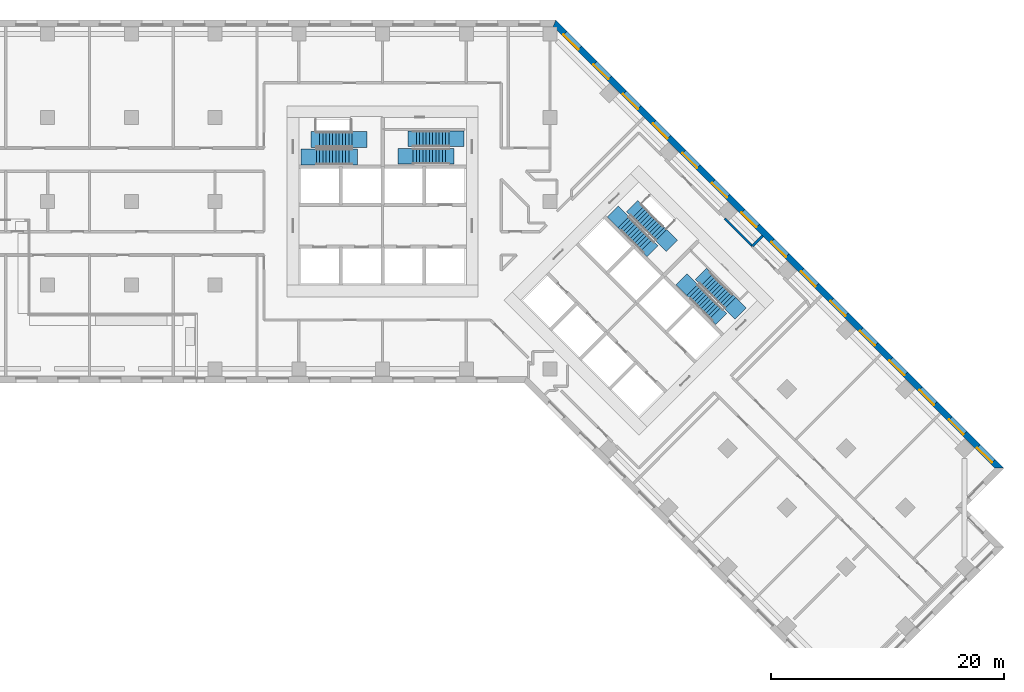
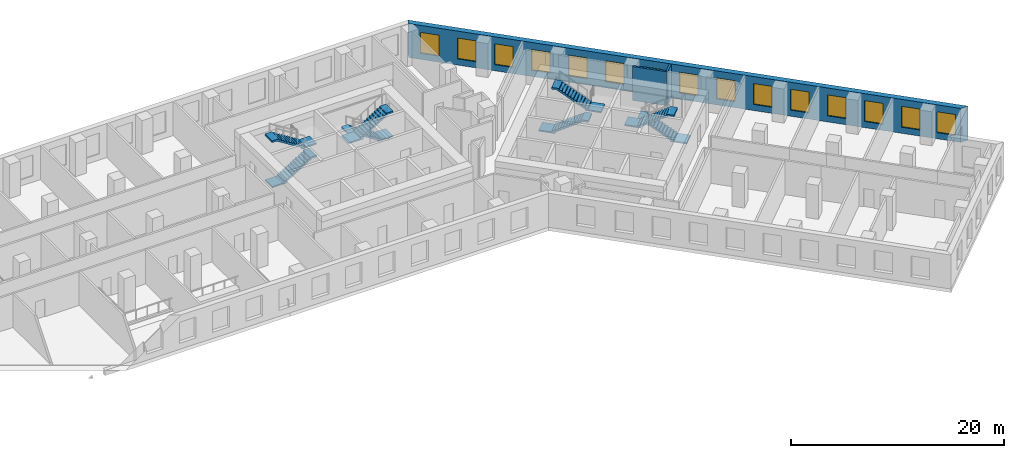
# One storey, part 9 of 12: 15 windows, 8 stair flights, 3 walls, 15 openings, 4 elements without a shape of their own.
"""IFC4 building model written with IfcOpenShell, lengths in metres."""

import ifcopenshell
import ifcopenshell.guid

model = None  # the IFC model being written
_history = None  # IfcOwnerHistory: only IFC2X3 demands one
_inside = {}  # id of a spatial element -> (the spatial element, [elements in it])
_under = {}  # id of a project, library or spatial element -> (it, [spatial elements below it])
_declared = {}  # id of a project -> (the project, [libraries it declares])
_typed = {}  # id of a type object -> (the type object, [elements of that type])
_made_of = {}  # id of a material, layer set ... -> (it, [elements and type objects made of it])


def new_model(schema):
    """Start an empty IFC model of exactly this schema.

    Asked for "IFC4X3", IfcOpenShell would pick the latest addendum, in which some entities
    have other attributes; the version numbers below select the first issue.
    IFC2X3 requires an IfcOwnerHistory on every rooted entity: one is made here for all.
    """
    global model, _history
    if schema == "IFC4X3":
        model = ifcopenshell.file(schema_version=(4, 3, 0, 0))
    else:
        model = ifcopenshell.file(schema=schema)
    _inside.clear()
    _under.clear()
    _declared.clear()
    _typed.clear()
    _made_of.clear()
    _history = None
    if model.schema == "IFC2X3":
        org = make("IfcOrganization", Name="unknown")
        user = make(
            "IfcPersonAndOrganization",
            ThePerson=make("IfcPerson", FamilyName="unknown"),
            TheOrganization=org,
        )
        app = make(
            "IfcApplication",
            ApplicationDeveloper=org,
            Version="unknown",
            ApplicationFullName="unknown",
            ApplicationIdentifier="unknown",
        )
        _history = make(
            "IfcOwnerHistory",
            OwningUser=user,
            OwningApplication=app,
            ChangeAction="ADDED",
            CreationDate=0,
        )
    return model


def make(cls, **values):
    """One entity of the class cls with the attributes given. An attribute that is None is left unset."""
    return model.create_entity(
        cls, **{name: value for name, value in values.items() if value is not None}
    )


def rooted(cls, **values):
    """An entity with a GlobalId (a new one), such as an element, a storey or a relation."""
    return make(cls, GlobalId=ifcopenshell.guid.new(), OwnerHistory=_history, **values)


def si_unit(unit_type, name, prefix=None):
    """IfcSIUnit, for example si_unit("LENGTHUNIT", "METRE", prefix="MILLI")."""
    return make("IfcSIUnit", UnitType=unit_type, Prefix=prefix, Name=name)


def assignment(units):
    """IfcUnitAssignment: the units of a project."""
    return None if units is None else make("IfcUnitAssignment", Units=units)


def point(xyz):
    """IfcCartesianPoint."""
    return None if xyz is None else make("IfcCartesianPoint", Coordinates=xyz)


def direction(xyz):
    """IfcDirection."""
    return None if xyz is None else make("IfcDirection", DirectionRatios=xyz)


def frame(location, z_axis=None, x_axis=None):
    """IfcAxis2Placement3D, a coordinate frame: its origin and axes. An axis left out is left unset."""
    return make(
        "IfcAxis2Placement3D",
        Location=point(location),
        Axis=direction(z_axis),
        RefDirection=direction(x_axis),
    )


def frame_2d(location, x_axis=None):
    """IfcAxis2Placement2D, a coordinate frame in the plane: its origin and x axis."""
    return make(
        "IfcAxis2Placement2D", Location=point(location), RefDirection=direction(x_axis)
    )


def origin():
    """The frame at (0, 0, 0) with its axes left unset."""
    return frame((0.0, 0.0, 0.0))


def place(relative_to, where):
    """IfcLocalPlacement: puts the frame where relative to a parent placement (None: the world)."""
    return make(
        "IfcLocalPlacement", PlacementRelTo=relative_to, RelativePlacement=where
    )


def context(
    kind, dimensions, precision=None, world=None, true_north=None, identifier=None
):
    """IfcGeometricRepresentationContext, for example the 3D "Model" context."""
    return make(
        "IfcGeometricRepresentationContext",
        ContextIdentifier=identifier,
        ContextType=kind,
        CoordinateSpaceDimension=dimensions,
        Precision=precision,
        WorldCoordinateSystem=world,
        TrueNorth=true_north,
    )


def subcontext(parent, identifier, kind, view, scale=None):
    """IfcGeometricRepresentationSubContext, for example "Body" below "Model"."""
    return make(
        "IfcGeometricRepresentationSubContext",
        ContextIdentifier=identifier,
        ContextType=kind,
        ParentContext=parent,
        TargetScale=scale,
        TargetView=view,
    )


def project(units=None, contexts=None):
    """IfcProject with its units and contexts."""
    return rooted(
        "IfcProject",
        Name="project",
        RepresentationContexts=contexts,
        UnitsInContext=assignment(units),
    )


def spatial(cls, under=None, at=None, **own):
    """A site, building, storey or space (cls), placed at a placement, below another one or the project."""
    s = rooted(cls, ObjectPlacement=at, **own)
    if under is not None:
        _under.setdefault(under.id(), (under, []))[1].append(s)
    return s


def polyline(points):
    """IfcPolyline through the points."""
    return make("IfcPolyline", Points=[point(p) for p in points])


def profile(cls, at=None, kind="AREA", **sizes):
    """A parametric profile (cls). Its sizes go by their IFC names, for example OverallWidth=200.0."""
    return make(cls, ProfileType=kind, Position=at, **sizes)


def rectangle(**sizes):
    """IfcRectangleProfileDef."""
    return profile("IfcRectangleProfileDef", **sizes)


def outline(outer, holes=None, kind="AREA"):
    """IfcArbitraryClosedProfileDef: a profile drawn as a closed curve; with holes, ...WithVoids."""
    if holes is None:
        return make("IfcArbitraryClosedProfileDef", ProfileType=kind, OuterCurve=outer)
    return make(
        "IfcArbitraryProfileDefWithVoids",
        ProfileType=kind,
        OuterCurve=outer,
        InnerCurves=holes,
    )


def extrude(swept, where, along, depth):
    """IfcExtrudedAreaSolid: the profile swept, set in the frame where, extruded along a direction by depth."""
    return make(
        "IfcExtrudedAreaSolid",
        SweptArea=swept,
        Position=where,
        ExtrudedDirection=direction(along),
        Depth=depth,
    )


def shape(context_of_items, identifier, shape_type, items):
    """IfcShapeRepresentation: the items that make up one representation, for example the "Body"."""
    return make(
        "IfcShapeRepresentation",
        ContextOfItems=context_of_items,
        RepresentationIdentifier=identifier,
        RepresentationType=shape_type,
        Items=items,
    )


def material(Name=None, Category=None):
    """IfcMaterial."""
    return make("IfcMaterial", Name=Name, Category=Category)


def layer(
    of_material, thickness, ventilated=None, Name=None, Category=None, Priority=None
):
    """IfcMaterialLayer: one layer of a wall or slab, of a material (None: an air gap)."""
    return make(
        "IfcMaterialLayer",
        Material=of_material,
        LayerThickness=thickness,
        IsVentilated=ventilated,
        Name=Name,
        Category=Category,
        Priority=Priority,
    )


def layer_set(layers, Name=None):
    """IfcMaterialLayerSet."""
    return make("IfcMaterialLayerSet", MaterialLayers=layers, LayerSetName=Name)


def made_of(thing, what):
    """Note that an element or type object is made of a material, layer set ...; save() writes the relation."""
    if what is not None:
        _made_of.setdefault(what.id(), (what, []))[1].append(thing)
    return thing


def type_object(cls, material=None, **own):
    """A type object (cls), such as IfcWallType, which elements share."""
    return made_of(rooted(cls, **own), material)


def element(
    cls,
    number,
    at=None,
    inside=None,
    cuts=None,
    type_object=None,
    material=None,
    context=None,
    identifier="Body",
    shape_type=None,
    held_by="IfcProductDefinitionShape",
    body=None,
    shapes=None,
    **own,
):
    """One element of the class cls, such as IfcWall. Its Tag is "e" and its number.

    at: its placement. inside: the storey or other place that contains it. cuts: it is an
    opening in that element (IfcRelVoidsElement). A single representation is given by context,
    identifier, shape_type and body (its items); several are given by shapes. held_by: the class
    of the entity that holds the representations. save() writes the other relations.
    """
    e = rooted(cls, Tag="e%d" % number, ObjectPlacement=at, **own)
    if body is not None:
        shapes = [shape(context, identifier, shape_type, body)]
    if shapes is not None:
        e.Representation = make(held_by, Representations=shapes)
    if inside is not None:
        _inside.setdefault(inside.id(), (inside, []))[1].append(e)
    if cuts is not None:
        rooted(
            "IfcRelVoidsElement", RelatingBuildingElement=cuts, RelatedOpeningElement=e
        )
    if type_object is not None:
        _typed.setdefault(type_object.id(), (type_object, []))[1].append(e)
    return made_of(e, material)


def fill(opening, filler):
    """IfcRelFillsElement: the door or window that sits in an opening."""
    return rooted(
        "IfcRelFillsElement",
        RelatingOpeningElement=opening,
        RelatedBuildingElement=filler,
    )


def aggregate(whole, parts):
    """IfcRelAggregates: a whole, such as a stair, and the parts it consists of."""
    return rooted("IfcRelAggregates", RelatingObject=whole, RelatedObjects=parts)


def save(model, path):
    """Write the relations noted so far, then the file.

    IfcRelAggregates (storeys below a building ...), IfcRelContainedInSpatialStructure (elements
    in a storey), IfcRelDefinesByType, IfcRelAssociatesMaterial and IfcRelDeclares: one each for
    every whole, place, type object, material and project.
    """
    for whole, parts in _under.values():
        aggregate(whole, parts)
    for where, things in _inside.values():
        rooted(
            "IfcRelContainedInSpatialStructure",
            RelatedElements=things,
            RelatingStructure=where,
        )
    for kind, things in _typed.values():
        rooted("IfcRelDefinesByType", RelatedObjects=things, RelatingType=kind)
    for what, things in _made_of.values():
        rooted("IfcRelAssociatesMaterial", RelatedObjects=things, RelatingMaterial=what)
    for by, libraries in _declared.values():
        rooted("IfcRelDeclares", RelatingContext=by, RelatedDefinitions=libraries)
    model.write(path)


model = new_model("IFC4")

# Units and contexts
model_context = context("Model", 3, precision=1e-05, world=origin(), true_north=direction((0.0, 1.0)))
body_context = subcontext(model_context, "Body", "Model", "MODEL_VIEW")
ifc_project = project(units=[si_unit("LENGTHUNIT", "METRE"), si_unit("AREAUNIT", "SQUARE_METRE"), si_unit("VOLUMEUNIT", "CUBIC_METRE"), si_unit("PLANEANGLEUNIT", "RADIAN"), si_unit("MASSUNIT", "GRAM", prefix="KILO")], contexts=[model_context])

# Site, building, storey
site_placement = place(None, origin())
site = spatial("IfcSite", under=ifc_project, at=site_placement, CompositionType="ELEMENT")
building_placement = place(site_placement, origin())
building = spatial("IfcBuilding", under=site, at=building_placement, Name="Windrow Commons", CompositionType="ELEMENT")
storey_placement = place(building_placement, frame((0.0, 0.0, 22.8)))
storey = spatial("IfcBuildingStorey", under=building, at=storey_placement, Name="L05", CompositionType="ELEMENT", Elevation=22.8)

# Wall, openings, windows
ifc_material_1 = material(Name="Brick masonry, red clay brick", Category="masonry")
ifc_layer_1 = layer(ifc_material_1, 0.55)
ifc_layer_set_1 = layer_set([ifc_layer_1], Name="Brick facade wall 550")
wall_type_1 = type_object("IfcWallType", Name="Brick facade wall 550", PredefinedType="SOLIDWALL", material=ifc_layer_set_1)
wall_1_placement = place(storey_placement, frame((117.8434, 34.6648, 0.0), z_axis=(0.0, 0.0, 1.0), x_axis=(-0.7071067812, 0.7071067812, 0.0)))
wall_1 = element("IfcWall", 1, at=wall_1_placement, inside=storey, type_object=wall_type_1, Name="Brick facade wall L05 4", PredefinedType="SOLIDWALL", context=body_context, shape_type="SweptSolid", body=[
    extrude(outline(polyline([(-0.275, -0.275), (54.222, -0.275), (53.9942, 0.275), (0.275, 0.275), (-0.275, -0.275)])), origin(), (0.0, 0.0, 1.0), 3.9),
])
opening_1_placement = place(wall_1_placement, frame((0.8, 0.0, 0.7)))
opening_1 = element("IfcOpeningElement", 2, at=opening_1_placement, cuts=wall_1, Name="Opening W2B", PredefinedType="OPENING", context=body_context, shape_type="SweptSolid", body=[
    extrude(rectangle(XDim=1.8, YDim=2.4, at=frame_2d((0.9, 1.2))), frame((0.0, 0.285, 0.0), z_axis=(0.0, -1.0, 0.0), x_axis=(1.0, 0.0, 0.0)), (0.0, 0.0, 1.0), 0.57),
])
opening_2_placement = place(wall_1_placement, frame((4.225, 0.0, 0.7)))
opening_2 = element("IfcOpeningElement", 3, at=opening_2_placement, cuts=wall_1, Name="Opening W2B", PredefinedType="OPENING", context=body_context, shape_type="SweptSolid", body=[
    extrude(rectangle(XDim=1.8, YDim=2.4, at=frame_2d((0.9, 1.2))), frame((0.0, 0.285, 0.0), z_axis=(0.0, -1.0, 0.0), x_axis=(1.0, 0.0, 0.0)), (0.0, 0.0, 1.0), 0.57),
])
opening_3_placement = place(wall_1_placement, frame((7.825, 0.0, 0.7)))
opening_3 = element("IfcOpeningElement", 4, at=opening_3_placement, cuts=wall_1, Name="Opening W2B", PredefinedType="OPENING", context=body_context, shape_type="SweptSolid", body=[
    extrude(rectangle(XDim=1.8, YDim=2.4, at=frame_2d((0.9, 1.2))), frame((0.0, 0.285, 0.0), z_axis=(0.0, -1.0, 0.0), x_axis=(1.0, 0.0, 0.0)), (0.0, 0.0, 1.0), 0.57),
])
opening_4_placement = place(wall_1_placement, frame((11.425, 0.0, 0.7)))
opening_4 = element("IfcOpeningElement", 5, at=opening_4_placement, cuts=wall_1, Name="Opening W2B", PredefinedType="OPENING", context=body_context, shape_type="SweptSolid", body=[
    extrude(rectangle(XDim=1.8, YDim=2.4, at=frame_2d((0.9, 1.2))), frame((0.0, 0.285, 0.0), z_axis=(0.0, -1.0, 0.0), x_axis=(1.0, 0.0, 0.0)), (0.0, 0.0, 1.0), 0.57),
])
opening_5_placement = place(wall_1_placement, frame((15.025, 0.0, 0.7)))
opening_5 = element("IfcOpeningElement", 6, at=opening_5_placement, cuts=wall_1, Name="Opening W2B", PredefinedType="OPENING", context=body_context, shape_type="SweptSolid", body=[
    extrude(rectangle(XDim=1.8, YDim=2.4, at=frame_2d((0.9, 1.2))), frame((0.0, 0.285, 0.0), z_axis=(0.0, -1.0, 0.0), x_axis=(1.0, 0.0, 0.0)), (0.0, 0.0, 1.0), 0.57),
])
opening_6_placement = place(wall_1_placement, frame((18.625, 0.0, 0.7)))
opening_6 = element("IfcOpeningElement", 7, at=opening_6_placement, cuts=wall_1, Name="Opening W2B", PredefinedType="OPENING", context=body_context, shape_type="SweptSolid", body=[
    extrude(rectangle(XDim=1.8, YDim=2.4, at=frame_2d((0.9, 1.2))), frame((0.0, 0.285, 0.0), z_axis=(0.0, -1.0, 0.0), x_axis=(1.0, 0.0, 0.0)), (0.0, 0.0, 1.0), 0.57),
])
opening_7_placement = place(wall_1_placement, frame((22.225, 0.0, 0.7)))
opening_7 = element("IfcOpeningElement", 8, at=opening_7_placement, cuts=wall_1, Name="Opening W2B", PredefinedType="OPENING", context=body_context, shape_type="SweptSolid", body=[
    extrude(rectangle(XDim=1.8, YDim=2.4, at=frame_2d((0.9, 1.2))), frame((0.0, 0.285, 0.0), z_axis=(0.0, -1.0, 0.0), x_axis=(1.0, 0.0, 0.0)), (0.0, 0.0, 1.0), 0.57),
])
opening_8_placement = place(wall_1_placement, frame((25.825, 0.0, 0.7)))
opening_8 = element("IfcOpeningElement", 9, at=opening_8_placement, cuts=wall_1, Name="Opening W2B", PredefinedType="OPENING", context=body_context, shape_type="SweptSolid", body=[
    extrude(rectangle(XDim=1.8, YDim=2.4, at=frame_2d((0.9, 1.2))), frame((0.0, 0.285, 0.0), z_axis=(0.0, -1.0, 0.0), x_axis=(1.0, 0.0, 0.0)), (0.0, 0.0, 1.0), 0.57),
])
opening_9_placement = place(wall_1_placement, frame((29.425, 0.0, 0.7)))
opening_9 = element("IfcOpeningElement", 10, at=opening_9_placement, cuts=wall_1, Name="Opening W2B", PredefinedType="OPENING", context=body_context, shape_type="SweptSolid", body=[
    extrude(rectangle(XDim=1.8, YDim=2.4, at=frame_2d((0.9, 1.2))), frame((0.0, 0.285, 0.0), z_axis=(0.0, -1.0, 0.0), x_axis=(1.0, 0.0, 0.0)), (0.0, 0.0, 1.0), 0.57),
])
opening_10_placement = place(wall_1_placement, frame((33.025, 0.0, 0.7)))
opening_10 = element("IfcOpeningElement", 11, at=opening_10_placement, cuts=wall_1, Name="Opening W2B", PredefinedType="OPENING", context=body_context, shape_type="SweptSolid", body=[
    extrude(rectangle(XDim=1.8, YDim=2.4, at=frame_2d((0.9, 1.2))), frame((0.0, 0.285, 0.0), z_axis=(0.0, -1.0, 0.0), x_axis=(1.0, 0.0, 0.0)), (0.0, 0.0, 1.0), 0.57),
])
opening_11_placement = place(wall_1_placement, frame((36.625, 0.0, 0.7)))
opening_11 = element("IfcOpeningElement", 12, at=opening_11_placement, cuts=wall_1, Name="Opening W2B", PredefinedType="OPENING", context=body_context, shape_type="SweptSolid", body=[
    extrude(rectangle(XDim=1.8, YDim=2.4, at=frame_2d((0.9, 1.2))), frame((0.0, 0.285, 0.0), z_axis=(0.0, -1.0, 0.0), x_axis=(1.0, 0.0, 0.0)), (0.0, 0.0, 1.0), 0.57),
])
opening_12_placement = place(wall_1_placement, frame((40.225, 0.0, 0.7)))
opening_12 = element("IfcOpeningElement", 13, at=opening_12_placement, cuts=wall_1, Name="Opening W2B", PredefinedType="OPENING", context=body_context, shape_type="SweptSolid", body=[
    extrude(rectangle(XDim=1.8, YDim=2.4, at=frame_2d((0.9, 1.2))), frame((0.0, 0.285, 0.0), z_axis=(0.0, -1.0, 0.0), x_axis=(1.0, 0.0, 0.0)), (0.0, 0.0, 1.0), 0.57),
])
opening_13_placement = place(wall_1_placement, frame((43.825, 0.0, 0.7)))
opening_13 = element("IfcOpeningElement", 14, at=opening_13_placement, cuts=wall_1, Name="Opening W2B", PredefinedType="OPENING", context=body_context, shape_type="SweptSolid", body=[
    extrude(rectangle(XDim=1.8, YDim=2.4, at=frame_2d((0.9, 1.2))), frame((0.0, 0.285, 0.0), z_axis=(0.0, -1.0, 0.0), x_axis=(1.0, 0.0, 0.0)), (0.0, 0.0, 1.0), 0.57),
])
opening_14_placement = place(wall_1_placement, frame((47.425, 0.0, 0.7)))
opening_14 = element("IfcOpeningElement", 15, at=opening_14_placement, cuts=wall_1, Name="Opening W2B", PredefinedType="OPENING", context=body_context, shape_type="SweptSolid", body=[
    extrude(rectangle(XDim=1.8, YDim=2.4, at=frame_2d((0.9, 1.2))), frame((0.0, 0.285, 0.0), z_axis=(0.0, -1.0, 0.0), x_axis=(1.0, 0.0, 0.0)), (0.0, 0.0, 1.0), 0.57),
])
opening_15_placement = place(wall_1_placement, frame((51.0596, 0.0, 0.7)))
opening_15 = element("IfcOpeningElement", 16, at=opening_15_placement, cuts=wall_1, Name="Opening W2B", PredefinedType="OPENING", context=body_context, shape_type="SweptSolid", body=[
    extrude(rectangle(XDim=1.8, YDim=2.4, at=frame_2d((0.9, 1.2))), frame((0.0, 0.285, 0.0), z_axis=(0.0, -1.0, 0.0), x_axis=(1.0, 0.0, 0.0)), (0.0, 0.0, 1.0), 0.57),
])
ifc_material_2 = material(Name="Clear float glass in anodised aluminium frame", Category="aluminium")
window_type = type_object("IfcWindowType", Name="Window W2 podium 1800x2400", PartitioningType="SINGLE_PANEL", PredefinedType="WINDOW", material=ifc_material_2)
window_1_placement = place(opening_1_placement, origin())
window_1 = element("IfcWindow", 17, at=window_1_placement, inside=storey, type_object=window_type, Name="Window L05 4.1", OverallHeight=2.4, OverallWidth=1.8, PartitioningType="SINGLE_PANEL", PredefinedType="WINDOW", context=body_context, shape_type="SweptSolid", body=[
    extrude(rectangle(XDim=1.8, YDim=2.4, at=frame_2d((0.9, 1.2))), frame((0.0, 0.155, 0.0), z_axis=(0.0, -1.0, 0.0), x_axis=(1.0, 0.0, 0.0)), (0.0, 0.0, 1.0), 0.06),
])
fill(opening_1, window_1)
window_2_placement = place(opening_2_placement, origin())
window_2 = element("IfcWindow", 18, at=window_2_placement, inside=storey, type_object=window_type, Name="Window L05 4.2", OverallHeight=2.4, OverallWidth=1.8, PartitioningType="SINGLE_PANEL", PredefinedType="WINDOW", context=body_context, shape_type="SweptSolid", body=[
    extrude(rectangle(XDim=1.8, YDim=2.4, at=frame_2d((0.9, 1.2))), frame((0.0, 0.155, 0.0), z_axis=(0.0, -1.0, 0.0), x_axis=(1.0, 0.0, 0.0)), (0.0, 0.0, 1.0), 0.06),
])
fill(opening_2, window_2)
window_3_placement = place(opening_3_placement, origin())
window_3 = element("IfcWindow", 19, at=window_3_placement, inside=storey, type_object=window_type, Name="Window L05 4.3", OverallHeight=2.4, OverallWidth=1.8, PartitioningType="SINGLE_PANEL", PredefinedType="WINDOW", context=body_context, shape_type="SweptSolid", body=[
    extrude(rectangle(XDim=1.8, YDim=2.4, at=frame_2d((0.9, 1.2))), frame((0.0, 0.155, 0.0), z_axis=(0.0, -1.0, 0.0), x_axis=(1.0, 0.0, 0.0)), (0.0, 0.0, 1.0), 0.06),
])
fill(opening_3, window_3)
window_4_placement = place(opening_4_placement, origin())
window_4 = element("IfcWindow", 20, at=window_4_placement, inside=storey, type_object=window_type, Name="Window L05 4.4", OverallHeight=2.4, OverallWidth=1.8, PartitioningType="SINGLE_PANEL", PredefinedType="WINDOW", context=body_context, shape_type="SweptSolid", body=[
    extrude(rectangle(XDim=1.8, YDim=2.4, at=frame_2d((0.9, 1.2))), frame((0.0, 0.155, 0.0), z_axis=(0.0, -1.0, 0.0), x_axis=(1.0, 0.0, 0.0)), (0.0, 0.0, 1.0), 0.06),
])
fill(opening_4, window_4)
window_5_placement = place(opening_5_placement, origin())
window_5 = element("IfcWindow", 21, at=window_5_placement, inside=storey, type_object=window_type, Name="Window L05 4.5", OverallHeight=2.4, OverallWidth=1.8, PartitioningType="SINGLE_PANEL", PredefinedType="WINDOW", context=body_context, shape_type="SweptSolid", body=[
    extrude(rectangle(XDim=1.8, YDim=2.4, at=frame_2d((0.9, 1.2))), frame((0.0, 0.155, 0.0), z_axis=(0.0, -1.0, 0.0), x_axis=(1.0, 0.0, 0.0)), (0.0, 0.0, 1.0), 0.06),
])
fill(opening_5, window_5)
window_6_placement = place(opening_6_placement, origin())
window_6 = element("IfcWindow", 22, at=window_6_placement, inside=storey, type_object=window_type, Name="Window L05 4.6", OverallHeight=2.4, OverallWidth=1.8, PartitioningType="SINGLE_PANEL", PredefinedType="WINDOW", context=body_context, shape_type="SweptSolid", body=[
    extrude(rectangle(XDim=1.8, YDim=2.4, at=frame_2d((0.9, 1.2))), frame((0.0, 0.155, 0.0), z_axis=(0.0, -1.0, 0.0), x_axis=(1.0, 0.0, 0.0)), (0.0, 0.0, 1.0), 0.06),
])
fill(opening_6, window_6)
window_7_placement = place(opening_7_placement, origin())
window_7 = element("IfcWindow", 23, at=window_7_placement, inside=storey, type_object=window_type, Name="Window L05 4.7", OverallHeight=2.4, OverallWidth=1.8, PartitioningType="SINGLE_PANEL", PredefinedType="WINDOW", context=body_context, shape_type="SweptSolid", body=[
    extrude(rectangle(XDim=1.8, YDim=2.4, at=frame_2d((0.9, 1.2))), frame((0.0, 0.155, 0.0), z_axis=(0.0, -1.0, 0.0), x_axis=(1.0, 0.0, 0.0)), (0.0, 0.0, 1.0), 0.06),
])
fill(opening_7, window_7)
window_8_placement = place(opening_8_placement, origin())
window_8 = element("IfcWindow", 24, at=window_8_placement, inside=storey, type_object=window_type, Name="Window L05 4.8", OverallHeight=2.4, OverallWidth=1.8, PartitioningType="SINGLE_PANEL", PredefinedType="WINDOW", context=body_context, shape_type="SweptSolid", body=[
    extrude(rectangle(XDim=1.8, YDim=2.4, at=frame_2d((0.9, 1.2))), frame((0.0, 0.155, 0.0), z_axis=(0.0, -1.0, 0.0), x_axis=(1.0, 0.0, 0.0)), (0.0, 0.0, 1.0), 0.06),
])
fill(opening_8, window_8)
window_9_placement = place(opening_9_placement, origin())
window_9 = element("IfcWindow", 25, at=window_9_placement, inside=storey, type_object=window_type, Name="Window L05 4.9", OverallHeight=2.4, OverallWidth=1.8, PartitioningType="SINGLE_PANEL", PredefinedType="WINDOW", context=body_context, shape_type="SweptSolid", body=[
    extrude(rectangle(XDim=1.8, YDim=2.4, at=frame_2d((0.9, 1.2))), frame((0.0, 0.155, 0.0), z_axis=(0.0, -1.0, 0.0), x_axis=(1.0, 0.0, 0.0)), (0.0, 0.0, 1.0), 0.06),
])
fill(opening_9, window_9)
window_10_placement = place(opening_10_placement, origin())
window_10 = element("IfcWindow", 26, at=window_10_placement, inside=storey, type_object=window_type, Name="Window L05 4.10", OverallHeight=2.4, OverallWidth=1.8, PartitioningType="SINGLE_PANEL", PredefinedType="WINDOW", context=body_context, shape_type="SweptSolid", body=[
    extrude(rectangle(XDim=1.8, YDim=2.4, at=frame_2d((0.9, 1.2))), frame((0.0, 0.155, 0.0), z_axis=(0.0, -1.0, 0.0), x_axis=(1.0, 0.0, 0.0)), (0.0, 0.0, 1.0), 0.06),
])
fill(opening_10, window_10)
window_11_placement = place(opening_11_placement, origin())
window_11 = element("IfcWindow", 27, at=window_11_placement, inside=storey, type_object=window_type, Name="Window L05 4.11", OverallHeight=2.4, OverallWidth=1.8, PartitioningType="SINGLE_PANEL", PredefinedType="WINDOW", context=body_context, shape_type="SweptSolid", body=[
    extrude(rectangle(XDim=1.8, YDim=2.4, at=frame_2d((0.9, 1.2))), frame((0.0, 0.155, 0.0), z_axis=(0.0, -1.0, 0.0), x_axis=(1.0, 0.0, 0.0)), (0.0, 0.0, 1.0), 0.06),
])
fill(opening_11, window_11)
window_12_placement = place(opening_12_placement, origin())
window_12 = element("IfcWindow", 28, at=window_12_placement, inside=storey, type_object=window_type, Name="Window L05 4.12", OverallHeight=2.4, OverallWidth=1.8, PartitioningType="SINGLE_PANEL", PredefinedType="WINDOW", context=body_context, shape_type="SweptSolid", body=[
    extrude(rectangle(XDim=1.8, YDim=2.4, at=frame_2d((0.9, 1.2))), frame((0.0, 0.155, 0.0), z_axis=(0.0, -1.0, 0.0), x_axis=(1.0, 0.0, 0.0)), (0.0, 0.0, 1.0), 0.06),
])
fill(opening_12, window_12)
window_13_placement = place(opening_13_placement, origin())
window_13 = element("IfcWindow", 29, at=window_13_placement, inside=storey, type_object=window_type, Name="Window L05 4.13", OverallHeight=2.4, OverallWidth=1.8, PartitioningType="SINGLE_PANEL", PredefinedType="WINDOW", context=body_context, shape_type="SweptSolid", body=[
    extrude(rectangle(XDim=1.8, YDim=2.4, at=frame_2d((0.9, 1.2))), frame((0.0, 0.155, 0.0), z_axis=(0.0, -1.0, 0.0), x_axis=(1.0, 0.0, 0.0)), (0.0, 0.0, 1.0), 0.06),
])
fill(opening_13, window_13)
window_14_placement = place(opening_14_placement, origin())
window_14 = element("IfcWindow", 30, at=window_14_placement, inside=storey, type_object=window_type, Name="Window L05 4.14", OverallHeight=2.4, OverallWidth=1.8, PartitioningType="SINGLE_PANEL", PredefinedType="WINDOW", context=body_context, shape_type="SweptSolid", body=[
    extrude(rectangle(XDim=1.8, YDim=2.4, at=frame_2d((0.9, 1.2))), frame((0.0, 0.155, 0.0), z_axis=(0.0, -1.0, 0.0), x_axis=(1.0, 0.0, 0.0)), (0.0, 0.0, 1.0), 0.06),
])
fill(opening_14, window_14)
window_15_placement = place(opening_15_placement, origin())
window_15 = element("IfcWindow", 31, at=window_15_placement, inside=storey, type_object=window_type, Name="Window L05 4.15", OverallHeight=2.4, OverallWidth=1.8, PartitioningType="SINGLE_PANEL", PredefinedType="WINDOW", context=body_context, shape_type="SweptSolid", body=[
    extrude(rectangle(XDim=1.8, YDim=2.4, at=frame_2d((0.9, 1.2))), frame((0.0, 0.155, 0.0), z_axis=(0.0, -1.0, 0.0), x_axis=(1.0, 0.0, 0.0)), (0.0, 0.0, 1.0), 0.06),
])
fill(opening_15, window_15)

# Walls
ifc_material_3 = material(Name="Blockwork partition", Category="masonry")
ifc_layer_2 = layer(ifc_material_3, 0.2)
ifc_layer_set_2 = layer_set([ifc_layer_2], Name="IW-CORRIDOR-200")
wall_type_2 = type_object("IfcWallType", Name="IW-CORRIDOR-200", PredefinedType="PARTITIONING", material=ifc_layer_set_2)
wall_2_placement = place(storey_placement, frame((94.2286, 56.1286, 0.0), z_axis=(0.0, 0.0, 1.0), x_axis=(0.706808235, -0.7074052014, 0.0)))
element("IfcWall", 32, at=wall_2_placement, inside=storey, type_object=wall_type_2, Name="W-L05-W066", PredefinedType="PARTITIONING", context=body_context, shape_type="SweptSolid", body=[
    extrude(rectangle(XDim=3.3503, YDim=0.2, at=frame_2d((1.6751, 0.0))), origin(), (0.0, 0.0, 1.0), 3.9),
])
ifc_material_4 = material(Name="Blockwork partition", Category="masonry")
ifc_layer_3 = layer(ifc_material_4, 0.2)
ifc_layer_set_3 = layer_set([ifc_layer_3], Name="IW-PARTY-200")
wall_type_3 = type_object("IfcWallType", Name="IW-PARTY-200", PredefinedType="PARTITIONING", material=ifc_layer_set_3)
wall_3_placement = place(storey_placement, frame((96.5933, 53.7567, 0.0), z_axis=(0.0, 0.0, 1.0), x_axis=(0.7070668147, 0.7071467454, 0.0)))
element("IfcWall", 33, at=wall_3_placement, inside=storey, type_object=wall_type_3, Name="W-L05-W102", PredefinedType="PARTITIONING", context=body_context, shape_type="SweptSolid", body=[
    extrude(rectangle(XDim=1.2511, YDim=0.2, at=frame_2d((0.6256, 0.0))), origin(), (0.0, 0.0, 1.0), 3.9),
])

# Stair, stair flights
ifc_material_5 = material(Name="Concrete C40/50", Category="concrete")
stair_type = type_object("IfcStairType", Name="Core stair", PredefinedType="HALF_TURN_STAIR", material=ifc_material_5)
placement = place(storey_placement, origin())
stair_1 = element("IfcStair", 34, at=placement, inside=storey, type_object=stair_type, Name="L05 Exit stair A1 core A", PredefinedType="HALF_TURN_STAIR")
ifc_material_6 = material(Name="Concrete C40/50", Category="concrete")
stair_flight_type = type_object("IfcStairFlightType", Name="Core stair flight", PredefinedType="STRAIGHT", material=ifc_material_6)
stair_flight_1_placement = place(storey_placement, frame((59.1, 61.425, 0.0), z_axis=(0.0, 0.0, 1.0), x_axis=(1.0, 0.0, 0.0)))
stair_flight_1 = element("IfcStairFlight", 35, at=stair_flight_1_placement, type_object=stair_flight_type, Name="ST-A1 flight 1", NumberOfRisers=12, NumberOfTreads=11, PredefinedType="STRAIGHT", RiserHeight=0.175, TreadLength=0.28, context=body_context, shape_type="SweptSolid", body=[
    extrude(outline(polyline([(-1.3, -0.15), (-1.3, 0.0), (0.0, 0.0), (0.0, 0.175), (0.28, 0.175), (0.28, 0.35), (0.56, 0.35), (0.56, 0.525), (0.84, 0.525), (0.84, 0.7), (1.12, 0.7), (1.12, 0.875), (1.4, 0.875), (1.4, 1.05), (1.68, 1.05), (1.68, 1.225), (1.96, 1.225), (1.96, 1.4), (2.24, 1.4), (2.24, 1.575), (2.52, 1.575), (2.52, 1.75), (2.8, 1.75), (2.8, 1.925), (3.08, 1.925), (3.53, 1.925), (3.53, 1.725), (3.08, 1.725), (3.08, 1.7481), (0.283, 0.0), (0.283, -0.15), (-1.3, -0.15)])), frame((0.0, 0.675, 0.0), z_axis=(0.0, -1.0, 0.0), x_axis=(1.0, 0.0, 0.0)), (0.0, 0.0, 1.0), 1.35),
])
stair_flight_2_placement = place(storey_placement, frame((62.18, 62.925, 2.1), z_axis=(0.0, 0.0, 1.0), x_axis=(-1.0, 0.0, 0.0)))
stair_flight_2 = element("IfcStairFlight", 36, at=stair_flight_2_placement, type_object=stair_flight_type, Name="ST-A1 flight 2", NumberOfRisers=12, NumberOfTreads=11, PredefinedType="STRAIGHT", RiserHeight=0.175, TreadLength=0.28, context=body_context, shape_type="SweptSolid", body=[
    extrude(outline(polyline([(-1.3, -0.15), (-1.3, 0.0), (0.0, 0.0), (0.0, 0.175), (0.28, 0.175), (0.28, 0.35), (0.56, 0.35), (0.56, 0.525), (0.84, 0.525), (0.84, 0.7), (1.12, 0.7), (1.12, 0.875), (1.4, 0.875), (1.4, 1.05), (1.68, 1.05), (1.68, 1.225), (1.96, 1.225), (1.96, 1.4), (2.24, 1.4), (2.24, 1.575), (2.52, 1.575), (2.52, 1.75), (2.8, 1.75), (2.8, 1.925), (3.08, 1.925), (3.53, 1.925), (3.53, 1.725), (3.08, 1.725), (3.08, 1.7481), (0.283, 0.0), (0.283, -0.15), (-1.3, -0.15)])), frame((0.0, 0.675, 0.0), z_axis=(0.0, -1.0, 0.0), x_axis=(1.0, 0.0, 0.0)), (0.0, 0.0, 1.0), 1.35),
])
aggregate(stair_1, [stair_flight_1, stair_flight_2])

stair_2 = element("IfcStair", 37, at=placement, inside=storey, type_object=stair_type, Name="L05 Exit stair A2 core A", PredefinedType="HALF_TURN_STAIR")
stair_flight_3_placement = place(storey_placement, frame((70.5, 62.98, 0.0), z_axis=(0.0, 0.0, 1.0), x_axis=(-1.0, 0.0, 0.0)))
stair_flight_3 = element("IfcStairFlight", 38, at=stair_flight_3_placement, type_object=stair_flight_type, Name="ST-A2 flight 1", NumberOfRisers=12, NumberOfTreads=11, PredefinedType="STRAIGHT", RiserHeight=0.175, TreadLength=0.28, context=body_context, shape_type="SweptSolid", body=[
    extrude(outline(polyline([(-1.3, -0.15), (-1.3, 0.0), (0.0, 0.0), (0.0, 0.175), (0.28, 0.175), (0.28, 0.35), (0.56, 0.35), (0.56, 0.525), (0.84, 0.525), (0.84, 0.7), (1.12, 0.7), (1.12, 0.875), (1.4, 0.875), (1.4, 1.05), (1.68, 1.05), (1.68, 1.225), (1.96, 1.225), (1.96, 1.4), (2.24, 1.4), (2.24, 1.575), (2.52, 1.575), (2.52, 1.75), (2.8, 1.75), (2.8, 1.925), (3.08, 1.925), (3.53, 1.925), (3.53, 1.725), (3.08, 1.725), (3.08, 1.7481), (0.283, 0.0), (0.283, -0.15), (-1.3, -0.15)])), frame((0.0, 0.675, 0.0), z_axis=(0.0, -1.0, 0.0), x_axis=(1.0, 0.0, 0.0)), (0.0, 0.0, 1.0), 1.35),
])
stair_flight_4_placement = place(storey_placement, frame((67.42, 61.48, 2.1), z_axis=(0.0, 0.0, 1.0), x_axis=(1.0, 0.0, 0.0)))
stair_flight_4 = element("IfcStairFlight", 39, at=stair_flight_4_placement, type_object=stair_flight_type, Name="ST-A2 flight 2", NumberOfRisers=12, NumberOfTreads=11, PredefinedType="STRAIGHT", RiserHeight=0.175, TreadLength=0.28, context=body_context, shape_type="SweptSolid", body=[
    extrude(outline(polyline([(-1.3, -0.15), (-1.3, 0.0), (0.0, 0.0), (0.0, 0.175), (0.28, 0.175), (0.28, 0.35), (0.56, 0.35), (0.56, 0.525), (0.84, 0.525), (0.84, 0.7), (1.12, 0.7), (1.12, 0.875), (1.4, 0.875), (1.4, 1.05), (1.68, 1.05), (1.68, 1.225), (1.96, 1.225), (1.96, 1.4), (2.24, 1.4), (2.24, 1.575), (2.52, 1.575), (2.52, 1.75), (2.8, 1.75), (2.8, 1.925), (3.08, 1.925), (3.53, 1.925), (3.53, 1.725), (3.08, 1.725), (3.08, 1.7481), (0.283, 0.0), (0.283, -0.15), (-1.3, -0.15)])), frame((0.0, 0.675, 0.0), z_axis=(0.0, -1.0, 0.0), x_axis=(1.0, 0.0, 0.0)), (0.0, 0.0, 1.0), 1.35),
])
aggregate(stair_2, [stair_flight_3, stair_flight_4])

stair_3 = element("IfcStair", 40, at=placement, inside=storey, type_object=stair_type, Name="L05 Exit stair B1 core B", PredefinedType="HALF_TURN_STAIR")
stair_flight_5_placement = place(storey_placement, frame((85.5109, 55.8249, 0.0), z_axis=(0.0, 0.0, 1.0), x_axis=(0.7071067812, -0.7071067812, 0.0)))
stair_flight_5 = element("IfcStairFlight", 41, at=stair_flight_5_placement, type_object=stair_flight_type, Name="ST-B1 flight 1", NumberOfRisers=12, NumberOfTreads=11, PredefinedType="STRAIGHT", RiserHeight=0.175, TreadLength=0.28, context=body_context, shape_type="SweptSolid", body=[
    extrude(outline(polyline([(-1.3, -0.15), (-1.3, 0.0), (0.0, 0.0), (0.0, 0.175), (0.28, 0.175), (0.28, 0.35), (0.56, 0.35), (0.56, 0.525), (0.84, 0.525), (0.84, 0.7), (1.12, 0.7), (1.12, 0.875), (1.4, 0.875), (1.4, 1.05), (1.68, 1.05), (1.68, 1.225), (1.96, 1.225), (1.96, 1.4), (2.24, 1.4), (2.24, 1.575), (2.52, 1.575), (2.52, 1.75), (2.8, 1.75), (2.8, 1.925), (3.08, 1.925), (3.53, 1.925), (3.53, 1.725), (3.08, 1.725), (3.08, 1.7481), (0.283, 0.0), (0.283, -0.15), (-1.3, -0.15)])), frame((0.0, 0.675, 0.0), z_axis=(0.0, -1.0, 0.0), x_axis=(1.0, 0.0, 0.0)), (0.0, 0.0, 1.0), 1.35),
])
stair_flight_6_placement = place(storey_placement, frame((88.7495, 54.7077, 2.1), z_axis=(0.0, 0.0, 1.0), x_axis=(-0.7071067812, 0.7071067812, 0.0)))
stair_flight_6 = element("IfcStairFlight", 42, at=stair_flight_6_placement, type_object=stair_flight_type, Name="ST-B1 flight 2", NumberOfRisers=12, NumberOfTreads=11, PredefinedType="STRAIGHT", RiserHeight=0.175, TreadLength=0.28, context=body_context, shape_type="SweptSolid", body=[
    extrude(outline(polyline([(-1.3, -0.15), (-1.3, 0.0), (0.0, 0.0), (0.0, 0.175), (0.28, 0.175), (0.28, 0.35), (0.56, 0.35), (0.56, 0.525), (0.84, 0.525), (0.84, 0.7), (1.12, 0.7), (1.12, 0.875), (1.4, 0.875), (1.4, 1.05), (1.68, 1.05), (1.68, 1.225), (1.96, 1.225), (1.96, 1.4), (2.24, 1.4), (2.24, 1.575), (2.52, 1.575), (2.52, 1.75), (2.8, 1.75), (2.8, 1.925), (3.08, 1.925), (3.53, 1.925), (3.53, 1.725), (3.08, 1.725), (3.08, 1.7481), (0.283, 0.0), (0.283, -0.15), (-1.3, -0.15)])), frame((0.0, 0.675, 0.0), z_axis=(0.0, -1.0, 0.0), x_axis=(1.0, 0.0, 0.0)), (0.0, 0.0, 1.0), 1.35),
])
aggregate(stair_3, [stair_flight_5, stair_flight_6])

stair_4 = element("IfcStair", 43, at=placement, inside=storey, type_object=stair_type, Name="L05 Exit stair B2 core B", PredefinedType="HALF_TURN_STAIR")
stair_flight_7_placement = place(storey_placement, frame((94.6715, 48.8635, 0.0), z_axis=(0.0, 0.0, 1.0), x_axis=(-0.7071067812, 0.7071067812, 0.0)))
stair_flight_7 = element("IfcStairFlight", 44, at=stair_flight_7_placement, type_object=stair_flight_type, Name="ST-B2 flight 1", NumberOfRisers=12, NumberOfTreads=11, PredefinedType="STRAIGHT", RiserHeight=0.175, TreadLength=0.28, context=body_context, shape_type="SweptSolid", body=[
    extrude(outline(polyline([(-1.3, -0.15), (-1.3, 0.0), (0.0, 0.0), (0.0, 0.175), (0.28, 0.175), (0.28, 0.35), (0.56, 0.35), (0.56, 0.525), (0.84, 0.525), (0.84, 0.7), (1.12, 0.7), (1.12, 0.875), (1.4, 0.875), (1.4, 1.05), (1.68, 1.05), (1.68, 1.225), (1.96, 1.225), (1.96, 1.4), (2.24, 1.4), (2.24, 1.575), (2.52, 1.575), (2.52, 1.75), (2.8, 1.75), (2.8, 1.925), (3.08, 1.925), (3.53, 1.925), (3.53, 1.725), (3.08, 1.725), (3.08, 1.7481), (0.283, 0.0), (0.283, -0.15), (-1.3, -0.15)])), frame((0.0, 0.675, 0.0), z_axis=(0.0, -1.0, 0.0), x_axis=(1.0, 0.0, 0.0)), (0.0, 0.0, 1.0), 1.35),
])
stair_flight_8_placement = place(storey_placement, frame((91.4329, 49.9807, 2.1), z_axis=(0.0, 0.0, 1.0), x_axis=(0.7071067812, -0.7071067812, 0.0)))
stair_flight_8 = element("IfcStairFlight", 45, at=stair_flight_8_placement, type_object=stair_flight_type, Name="ST-B2 flight 2", NumberOfRisers=12, NumberOfTreads=11, PredefinedType="STRAIGHT", RiserHeight=0.175, TreadLength=0.28, context=body_context, shape_type="SweptSolid", body=[
    extrude(outline(polyline([(-1.3, -0.15), (-1.3, 0.0), (0.0, 0.0), (0.0, 0.175), (0.28, 0.175), (0.28, 0.35), (0.56, 0.35), (0.56, 0.525), (0.84, 0.525), (0.84, 0.7), (1.12, 0.7), (1.12, 0.875), (1.4, 0.875), (1.4, 1.05), (1.68, 1.05), (1.68, 1.225), (1.96, 1.225), (1.96, 1.4), (2.24, 1.4), (2.24, 1.575), (2.52, 1.575), (2.52, 1.75), (2.8, 1.75), (2.8, 1.925), (3.08, 1.925), (3.53, 1.925), (3.53, 1.725), (3.08, 1.725), (3.08, 1.7481), (0.283, 0.0), (0.283, -0.15), (-1.3, -0.15)])), frame((0.0, 0.675, 0.0), z_axis=(0.0, -1.0, 0.0), x_axis=(1.0, 0.0, 0.0)), (0.0, 0.0, 1.0), 1.35),
])
aggregate(stair_4, [stair_flight_7, stair_flight_8])

save(model, "model.ifc")
